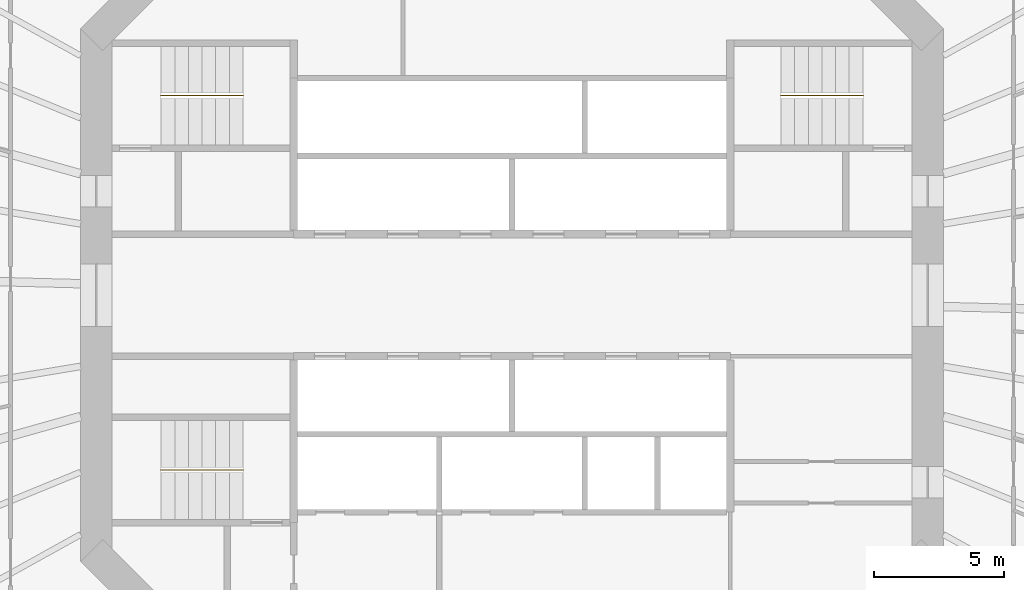
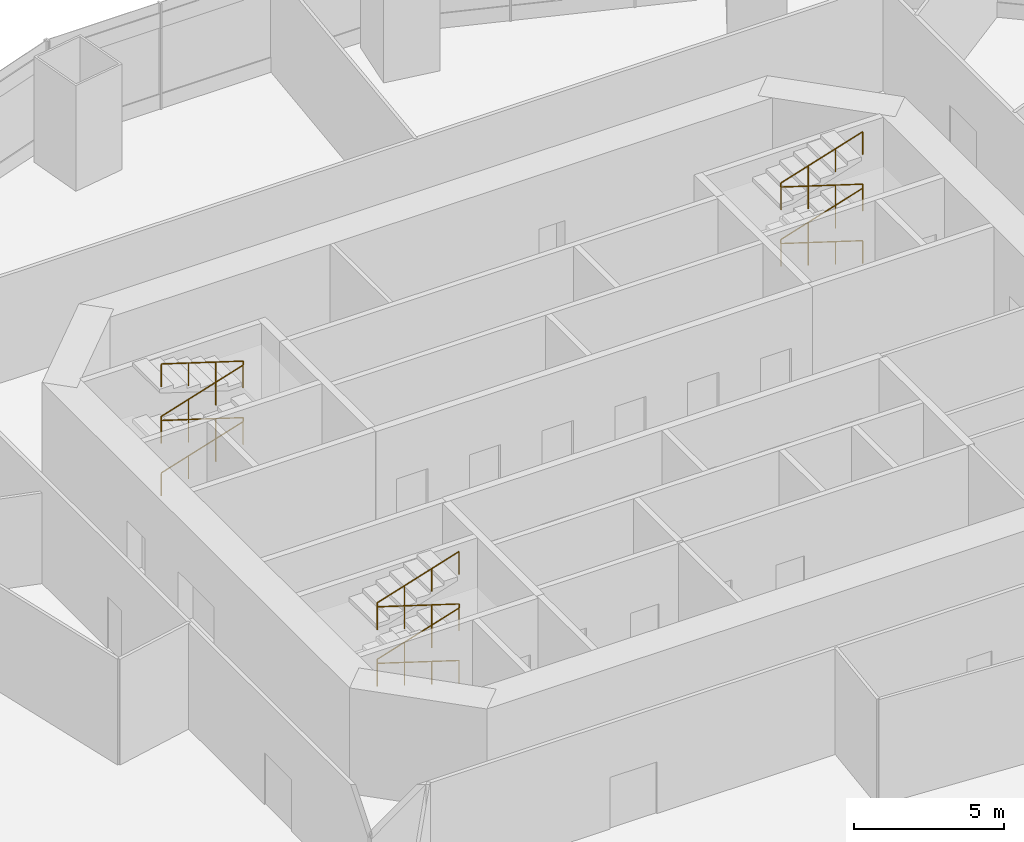
# One storey, part 17 of 17: 3 railings.
"""IFC4 building model written with IfcOpenShell, lengths in metres."""

from ifc_helpers import new_model, si_unit, direction, frame, origin, origin_2d, place, context, subcontext, project, spatial, circle, extrude, material, type_object, element, save


model = new_model("IFC4")

# Units and contexts
model_context = context("Model", 3, precision=1e-05, world=origin(), true_north=direction((0.0, 1.0)))
body_context = subcontext(model_context, "Body", "Model", "MODEL_VIEW")
ifc_project = project(units=[si_unit("LENGTHUNIT", "METRE"), si_unit("AREAUNIT", "SQUARE_METRE"), si_unit("VOLUMEUNIT", "CUBIC_METRE"), si_unit("PLANEANGLEUNIT", "RADIAN"), si_unit("MASSUNIT", "GRAM", prefix="KILO")], contexts=[model_context])

# Site, building, storey
site_placement = place(None, origin())
site = spatial("IfcSite", under=ifc_project, at=site_placement, CompositionType="ELEMENT")
building_placement = place(site_placement, origin())
building = spatial("IfcBuilding", under=site, at=building_placement, Name="Marenthal Gate Tower", CompositionType="ELEMENT")
storey_placement = place(building_placement, frame((0.0, 0.0, 145.050048828125)))
storey = spatial("IfcBuildingStorey", under=building, at=storey_placement, Name="L31", CompositionType="ELEMENT", Elevation=145.050048828125)

# Railings
ifc_material = material(Name="Stainless steel", Category="steel")
railing_type = type_object("IfcRailingType", Name="Stair handrail", PredefinedType="HANDRAIL", material=ifc_material)
railing_1_placement = place(storey_placement, frame((-13.5, 7.675048828125, 0.164306640625)))
element("IfcRailing", 1, at=railing_1_placement, inside=storey, type_object=railing_type, Name="Handrail ST1", PredefinedType="HANDRAIL", context=body_context, shape_type="SweptSolid", body=[
    extrude(circle(Radius=0.0224609375, at=origin_2d()), frame((0.0, 0.0, 0.927490234375), z_axis=(0.954371986542, 0.0, 0.298620346432), x_axis=(0.0, 1.0, 0.0)), (0.0, 0.0, 1.0), 3.300537109375),
    extrude(circle(Radius=0.0224609375, at=origin_2d()), frame((3.14990234375, 0.0, 1.9130859375), z_axis=(0.0, 0.0, 1.0), x_axis=(1.0, 0.0, 0.0)), (0.0, 0.0, 1.0), 0.164306640625),
    extrude(circle(Radius=0.0224609375, at=origin_2d()), frame((3.14990234375, 0.0, 2.077392578125), z_axis=(-0.954350903314, 0.0, 0.298687718771), x_axis=(0.0, -1.0, 0.0)), (0.0, 0.0, 1.0), 3.300537109375),
    extrude(circle(Radius=0.0224609375, at=origin_2d()), frame((0.0, 0.0, 3.063232421875), z_axis=(0.0, 0.0, 1.0), x_axis=(1.0, 0.0, 0.0)), (0.0, 0.0, 1.0), 0.164306640625),
    extrude(circle(Radius=0.0224609375, at=origin_2d()), frame((0.0, 0.0, 3.2275390625), z_axis=(0.954371986542, 0.0, 0.298620346432), x_axis=(0.0, 1.0, 0.0)), (0.0, 0.0, 1.0), 3.300537109375),
    extrude(circle(Radius=0.0224609375, at=origin_2d()), frame((3.14990234375, 0.0, 4.213134765625), z_axis=(0.0, 0.0, 1.0), x_axis=(1.0, 0.0, 0.0)), (0.0, 0.0, 1.0), 0.164306640625),
    extrude(circle(Radius=0.0224609375, at=origin_2d()), frame((3.14990234375, 0.0, 4.37744140625), z_axis=(-0.954371986542, 0.0, 0.298620346432), x_axis=(0.0, -1.0, 0.0)), (0.0, 0.0, 1.0), 3.300537109375),
    extrude(circle(Radius=0.02001953125, at=origin_2d()), origin(), (0.0, 0.0, 1.0), 0.905029296875),
    extrude(circle(Radius=0.02001953125, at=origin_2d()), frame((1.050048828125, 0.0, 0.32861328125)), (0.0, 0.0, 1.0), 0.905029296875),
    extrude(circle(Radius=0.02001953125, at=origin_2d()), frame((2.099853515625, 0.0, 0.656982421875)), (0.0, 0.0, 1.0), 0.905029296875),
    extrude(circle(Radius=0.02001953125, at=origin_2d()), frame((3.14990234375, 0.0, 0.985595703125)), (0.0, 0.0, 1.0), 0.905029296875),
    extrude(circle(Radius=0.02001953125, at=origin_2d()), frame((3.14990234375, 0.0, 1.14990234375)), (0.0, 0.0, 1.0), 0.905029296875),
    extrude(circle(Radius=0.02001953125, at=origin_2d()), frame((2.099853515625, 0.0, 1.478515625)), (0.0, 0.0, 1.0), 0.905029296875),
    extrude(circle(Radius=0.02001953125, at=origin_2d()), frame((1.050048828125, 0.0, 1.80712890625)), (0.0, 0.0, 1.0), 0.905029296875),
    extrude(circle(Radius=0.02001953125, at=origin_2d()), frame((0.0, 0.0, 2.1357421875)), (0.0, 0.0, 1.0), 0.905029296875),
    extrude(circle(Radius=0.02001953125, at=origin_2d()), frame((0.0, 0.0, 2.300048828125)), (0.0, 0.0, 1.0), 0.905029296875),
    extrude(circle(Radius=0.02001953125, at=origin_2d()), frame((1.050048828125, 0.0, 2.628662109375)), (0.0, 0.0, 1.0), 0.905029296875),
    extrude(circle(Radius=0.02001953125, at=origin_2d()), frame((2.099853515625, 0.0, 2.95703125)), (0.0, 0.0, 1.0), 0.905029296875),
    extrude(circle(Radius=0.02001953125, at=origin_2d()), frame((3.14990234375, 0.0, 3.28564453125)), (0.0, 0.0, 1.0), 0.905029296875),
    extrude(circle(Radius=0.02001953125, at=origin_2d()), frame((3.14990234375, 0.0, 3.449951171875)), (0.0, 0.0, 1.0), 0.905029296875),
    extrude(circle(Radius=0.02001953125, at=origin_2d()), frame((2.099853515625, 0.0, 3.778564453125)), (0.0, 0.0, 1.0), 0.905029296875),
    extrude(circle(Radius=0.02001953125, at=origin_2d()), frame((1.050048828125, 0.0, 4.10693359375)), (0.0, 0.0, 1.0), 0.905029296875),
    extrude(circle(Radius=0.02001953125, at=origin_2d()), frame((0.0, 0.0, 4.435546875)), (0.0, 0.0, 1.0), 0.905029296875),
])
railing_2_placement = place(storey_placement, frame((-10.35009765625, -6.72509765625, 0.164306640625)))
element("IfcRailing", 2, at=railing_2_placement, inside=storey, type_object=railing_type, Name="Handrail ST2", PredefinedType="HANDRAIL", context=body_context, shape_type="SweptSolid", body=[
    extrude(circle(Radius=0.0224609375, at=origin_2d()), frame((0.0, 0.0, 0.927490234375), z_axis=(-0.954371986542, 0.0, 0.298620346432), x_axis=(0.0, -1.0, 0.0)), (0.0, 0.0, 1.0), 3.300537109375),
    extrude(circle(Radius=0.0224609375, at=origin_2d()), frame((-3.14990234375, 0.0, 1.9130859375), z_axis=(0.0, 0.0, 1.0), x_axis=(1.0, 0.0, 0.0)), (0.0, 0.0, 1.0), 0.164306640625),
    extrude(circle(Radius=0.0224609375, at=origin_2d()), frame((-3.14990234375, 0.0, 2.077392578125), z_axis=(0.954350903314, 0.0, 0.298687718771), x_axis=(0.0, 1.0, 0.0)), (0.0, 0.0, 1.0), 3.300537109375),
    extrude(circle(Radius=0.0224609375, at=origin_2d()), frame((0.0, 0.0, 3.063232421875), z_axis=(0.0, 0.0, 1.0), x_axis=(1.0, 0.0, 0.0)), (0.0, 0.0, 1.0), 0.164306640625),
    extrude(circle(Radius=0.0224609375, at=origin_2d()), frame((0.0, 0.0, 3.2275390625), z_axis=(-0.954371986542, 0.0, 0.298620346432), x_axis=(0.0, -1.0, 0.0)), (0.0, 0.0, 1.0), 3.300537109375),
    extrude(circle(Radius=0.0224609375, at=origin_2d()), frame((-3.14990234375, 0.0, 4.213134765625), z_axis=(0.0, 0.0, 1.0), x_axis=(1.0, 0.0, 0.0)), (0.0, 0.0, 1.0), 0.164306640625),
    extrude(circle(Radius=0.0224609375, at=origin_2d()), frame((-3.14990234375, 0.0, 4.37744140625), z_axis=(0.954371986542, 0.0, 0.298620346432), x_axis=(0.0, 1.0, 0.0)), (0.0, 0.0, 1.0), 3.300537109375),
    extrude(circle(Radius=0.02001953125, at=origin_2d()), origin(), (0.0, 0.0, 1.0), 0.905029296875),
    extrude(circle(Radius=0.02001953125, at=origin_2d()), frame((-1.050048828125, 0.0, 0.32861328125)), (0.0, 0.0, 1.0), 0.905029296875),
    extrude(circle(Radius=0.02001953125, at=origin_2d()), frame((-2.099853515625, 0.0, 0.656982421875)), (0.0, 0.0, 1.0), 0.905029296875),
    extrude(circle(Radius=0.02001953125, at=origin_2d()), frame((-3.14990234375, 0.0, 0.985595703125)), (0.0, 0.0, 1.0), 0.905029296875),
    extrude(circle(Radius=0.02001953125, at=origin_2d()), frame((-3.14990234375, 0.0, 1.14990234375)), (0.0, 0.0, 1.0), 0.905029296875),
    extrude(circle(Radius=0.02001953125, at=origin_2d()), frame((-2.099853515625, 0.0, 1.478515625)), (0.0, 0.0, 1.0), 0.905029296875),
    extrude(circle(Radius=0.02001953125, at=origin_2d()), frame((-1.050048828125, 0.0, 1.80712890625)), (0.0, 0.0, 1.0), 0.905029296875),
    extrude(circle(Radius=0.02001953125, at=origin_2d()), frame((0.0, 0.0, 2.1357421875)), (0.0, 0.0, 1.0), 0.905029296875),
    extrude(circle(Radius=0.02001953125, at=origin_2d()), frame((0.0, 0.0, 2.300048828125)), (0.0, 0.0, 1.0), 0.905029296875),
    extrude(circle(Radius=0.02001953125, at=origin_2d()), frame((-1.050048828125, 0.0, 2.628662109375)), (0.0, 0.0, 1.0), 0.905029296875),
    extrude(circle(Radius=0.02001953125, at=origin_2d()), frame((-2.099853515625, 0.0, 2.95703125)), (0.0, 0.0, 1.0), 0.905029296875),
    extrude(circle(Radius=0.02001953125, at=origin_2d()), frame((-3.14990234375, 0.0, 3.28564453125)), (0.0, 0.0, 1.0), 0.905029296875),
    extrude(circle(Radius=0.02001953125, at=origin_2d()), frame((-3.14990234375, 0.0, 3.449951171875)), (0.0, 0.0, 1.0), 0.905029296875),
    extrude(circle(Radius=0.02001953125, at=origin_2d()), frame((-2.099853515625, 0.0, 3.778564453125)), (0.0, 0.0, 1.0), 0.905029296875),
    extrude(circle(Radius=0.02001953125, at=origin_2d()), frame((-1.050048828125, 0.0, 4.10693359375)), (0.0, 0.0, 1.0), 0.905029296875),
    extrude(circle(Radius=0.02001953125, at=origin_2d()), frame((0.0, 0.0, 4.435546875)), (0.0, 0.0, 1.0), 0.905029296875),
])
railing_3_placement = place(storey_placement, frame((13.5, 7.675048828125, 0.164306640625)))
element("IfcRailing", 3, at=railing_3_placement, inside=storey, type_object=railing_type, Name="Handrail ST3", PredefinedType="HANDRAIL", context=body_context, shape_type="SweptSolid", body=[
    extrude(circle(Radius=0.0224609375, at=origin_2d()), frame((0.0, 0.0, 0.927490234375), z_axis=(-0.954371986542, 0.0, 0.298620346432), x_axis=(0.0, -1.0, 0.0)), (0.0, 0.0, 1.0), 3.300537109375),
    extrude(circle(Radius=0.0224609375, at=origin_2d()), frame((-3.14990234375, 0.0, 1.9130859375), z_axis=(0.0, 0.0, 1.0), x_axis=(1.0, 0.0, 0.0)), (0.0, 0.0, 1.0), 0.164306640625),
    extrude(circle(Radius=0.0224609375, at=origin_2d()), frame((-3.14990234375, 0.0, 2.077392578125), z_axis=(0.954350903314, 0.0, 0.298687718771), x_axis=(0.0, 1.0, 0.0)), (0.0, 0.0, 1.0), 3.300537109375),
    extrude(circle(Radius=0.0224609375, at=origin_2d()), frame((0.0, 0.0, 3.063232421875), z_axis=(0.0, 0.0, 1.0), x_axis=(1.0, 0.0, 0.0)), (0.0, 0.0, 1.0), 0.164306640625),
    extrude(circle(Radius=0.0224609375, at=origin_2d()), frame((0.0, 0.0, 3.2275390625), z_axis=(-0.954371986542, 0.0, 0.298620346432), x_axis=(0.0, -1.0, 0.0)), (0.0, 0.0, 1.0), 3.300537109375),
    extrude(circle(Radius=0.0224609375, at=origin_2d()), frame((-3.14990234375, 0.0, 4.213134765625), z_axis=(0.0, 0.0, 1.0), x_axis=(1.0, 0.0, 0.0)), (0.0, 0.0, 1.0), 0.164306640625),
    extrude(circle(Radius=0.0224609375, at=origin_2d()), frame((-3.14990234375, 0.0, 4.37744140625), z_axis=(0.954371986542, 0.0, 0.298620346432), x_axis=(0.0, 1.0, 0.0)), (0.0, 0.0, 1.0), 3.300537109375),
    extrude(circle(Radius=0.02001953125, at=origin_2d()), origin(), (0.0, 0.0, 1.0), 0.905029296875),
    extrude(circle(Radius=0.02001953125, at=origin_2d()), frame((-1.050048828125, 0.0, 0.32861328125)), (0.0, 0.0, 1.0), 0.905029296875),
    extrude(circle(Radius=0.02001953125, at=origin_2d()), frame((-2.099853515625, 0.0, 0.656982421875)), (0.0, 0.0, 1.0), 0.905029296875),
    extrude(circle(Radius=0.02001953125, at=origin_2d()), frame((-3.14990234375, 0.0, 0.985595703125)), (0.0, 0.0, 1.0), 0.905029296875),
    extrude(circle(Radius=0.02001953125, at=origin_2d()), frame((-3.14990234375, 0.0, 1.14990234375)), (0.0, 0.0, 1.0), 0.905029296875),
    extrude(circle(Radius=0.02001953125, at=origin_2d()), frame((-2.099853515625, 0.0, 1.478515625)), (0.0, 0.0, 1.0), 0.905029296875),
    extrude(circle(Radius=0.02001953125, at=origin_2d()), frame((-1.050048828125, 0.0, 1.80712890625)), (0.0, 0.0, 1.0), 0.905029296875),
    extrude(circle(Radius=0.02001953125, at=origin_2d()), frame((0.0, 0.0, 2.1357421875)), (0.0, 0.0, 1.0), 0.905029296875),
    extrude(circle(Radius=0.02001953125, at=origin_2d()), frame((0.0, 0.0, 2.300048828125)), (0.0, 0.0, 1.0), 0.905029296875),
    extrude(circle(Radius=0.02001953125, at=origin_2d()), frame((-1.050048828125, 0.0, 2.628662109375)), (0.0, 0.0, 1.0), 0.905029296875),
    extrude(circle(Radius=0.02001953125, at=origin_2d()), frame((-2.099853515625, 0.0, 2.95703125)), (0.0, 0.0, 1.0), 0.905029296875),
    extrude(circle(Radius=0.02001953125, at=origin_2d()), frame((-3.14990234375, 0.0, 3.28564453125)), (0.0, 0.0, 1.0), 0.905029296875),
    extrude(circle(Radius=0.02001953125, at=origin_2d()), frame((-3.14990234375, 0.0, 3.449951171875)), (0.0, 0.0, 1.0), 0.905029296875),
    extrude(circle(Radius=0.02001953125, at=origin_2d()), frame((-2.099853515625, 0.0, 3.778564453125)), (0.0, 0.0, 1.0), 0.905029296875),
    extrude(circle(Radius=0.02001953125, at=origin_2d()), frame((-1.050048828125, 0.0, 4.10693359375)), (0.0, 0.0, 1.0), 0.905029296875),
    extrude(circle(Radius=0.02001953125, at=origin_2d()), frame((0.0, 0.0, 4.435546875)), (0.0, 0.0, 1.0), 0.905029296875),
])

save(model, "model.ifc")
